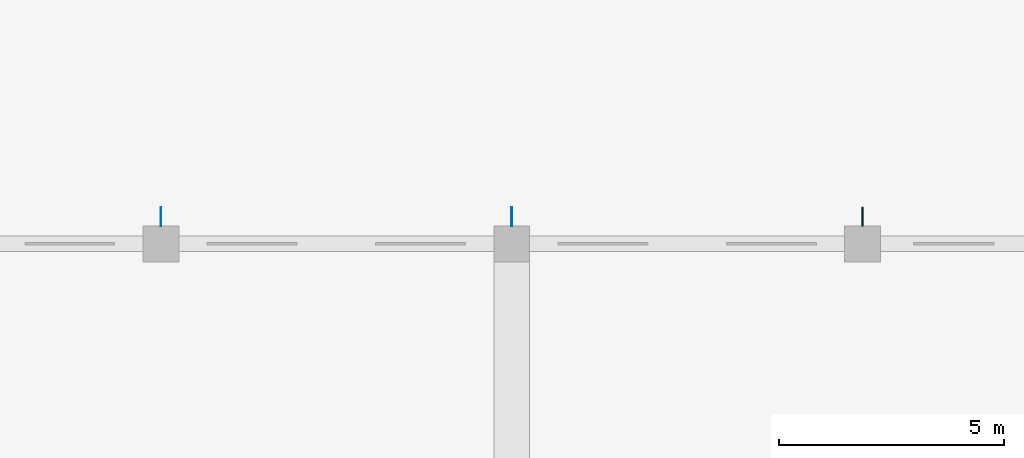
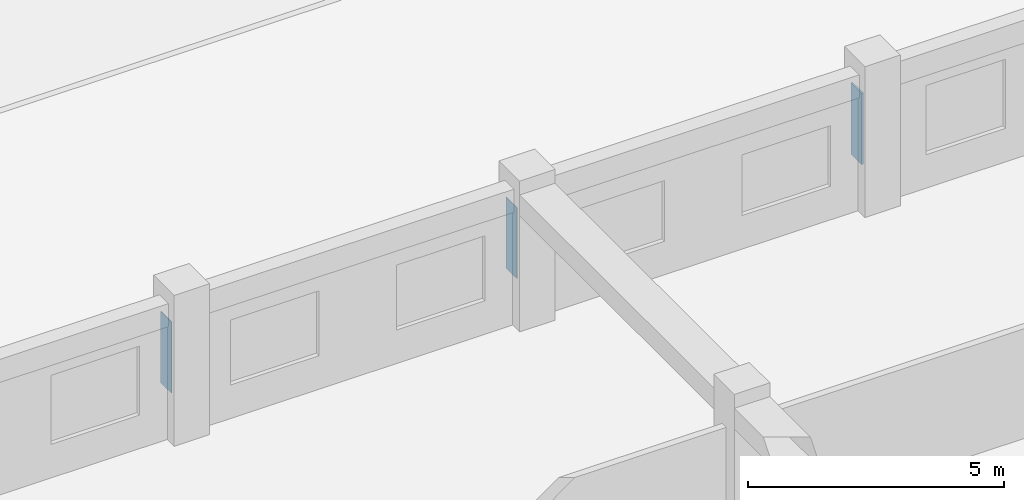
# One storey, part 33 of 50: 3 plates.
"""IFC4 building model written with IfcOpenShell, lengths in metres."""

from ifc_helpers import new_model, si_unit, direction, frame, origin, origin_2d, place, context, subcontext, project, spatial, rectangle, extrude, material, layer, layer_set, type_object, element, save


model = new_model("IFC4")

# Units and contexts
model_context = context("Model", 3, precision=1e-05, world=origin(), true_north=direction((0.0, 1.0)))
body_context = subcontext(model_context, "Body", "Model", "MODEL_VIEW")
ifc_project = project(units=[si_unit("LENGTHUNIT", "METRE"), si_unit("AREAUNIT", "SQUARE_METRE"), si_unit("VOLUMEUNIT", "CUBIC_METRE"), si_unit("PLANEANGLEUNIT", "RADIAN"), si_unit("MASSUNIT", "GRAM", prefix="KILO"), si_unit("THERMODYNAMICTEMPERATUREUNIT", "KELVIN"), si_unit("POWERUNIT", "WATT")], contexts=[model_context])

# Site, building, storey
site_placement = place(None, origin())
site = spatial("IfcSite", under=ifc_project, at=site_placement, CompositionType="ELEMENT")
building_placement = place(site_placement, origin())
building = spatial("IfcBuilding", under=site, at=building_placement, Name="Srebrne Nadtorze General Hospital", CompositionType="ELEMENT")
storey_placement = place(building_placement, frame((0.0, 0.0, 14.39990234375)))
storey = spatial("IfcBuildingStorey", under=building, at=storey_placement, Name="L03", CompositionType="ELEMENT", Elevation=14.39990234375)

# Plates
ifc_material_1 = material(Name="Steel S355J2", Category="steel")
ifc_layer_1 = layer(ifc_material_1, 0.011962890625)
ifc_layer_set_1 = layer_set([ifc_layer_1], Name="Steel S355J2")
plate_type_1 = type_object("IfcPlateType", Name="Steel bearing plate 12", PredefinedType="SHEET", material=ifc_layer_set_1)
plate_1_placement = place(storey_placement, frame((132.60009765625, 93.0, 0.64990234375), z_axis=(0.0, 0.0, 1.0), x_axis=(1.0, 0.0, 0.0)))
element("IfcPlate", 1, at=plate_1_placement, inside=storey, type_object=plate_type_1, Name="Steel connection gusset plate 15", PredefinedType="SHEET", context=body_context, shape_type="SweptSolid", body=[
    extrude(rectangle(XDim=0.011962890625, YDim=0.419921875, at=origin_2d()), origin(), (0.0, 0.0, 1.0), 1.699951171875),
])
ifc_material_2 = material(Name="Steel S355J2", Category="steel")
ifc_layer_2 = layer(ifc_material_2, 0.0400390625)
ifc_layer_set_2 = layer_set([ifc_layer_2], Name="Steel S355J2")
plate_type_2 = type_object("IfcPlateType", Name="Steel gusset plate 40", PredefinedType="SHEET", material=ifc_layer_set_2)
plate_2_placement = place(storey_placement, frame((140.39990234375, 93.0, 0.64990234375), z_axis=(0.0, 0.0, 1.0), x_axis=(1.0, 0.0, 0.0)))
element("IfcPlate", 2, at=plate_2_placement, inside=storey, type_object=plate_type_2, Name="Steel connection gusset plate 16", PredefinedType="SHEET", context=body_context, shape_type="SweptSolid", body=[
    extrude(rectangle(XDim=0.0400390625, YDim=0.419921875, at=origin_2d()), origin(), (0.0, 0.0, 1.0), 1.699951171875),
])
ifc_material_3 = material(Name="Steel S355J2", Category="steel")
ifc_layer_3 = layer(ifc_material_3, 0.01806640625)
ifc_layer_set_3 = layer_set([ifc_layer_3], Name="Steel S355J2")
plate_type_3 = type_object("IfcPlateType", Name="Steel stiffener plate 18", PredefinedType="SHEET", material=ifc_layer_set_3)
plate_3_placement = place(storey_placement, frame((124.800048828125, 93.0, 0.64990234375), z_axis=(0.0, 0.0, 1.0), x_axis=(1.0, 0.0, 0.0)))
element("IfcPlate", 3, at=plate_3_placement, inside=storey, type_object=plate_type_3, Name="Steel connection gusset plate 14", PredefinedType="SHEET", context=body_context, shape_type="SweptSolid", body=[
    extrude(rectangle(XDim=0.01806640625, YDim=0.419921875, at=origin_2d()), origin(), (0.0, 0.0, 1.0), 1.699951171875),
])

save(model, "model.ifc")
